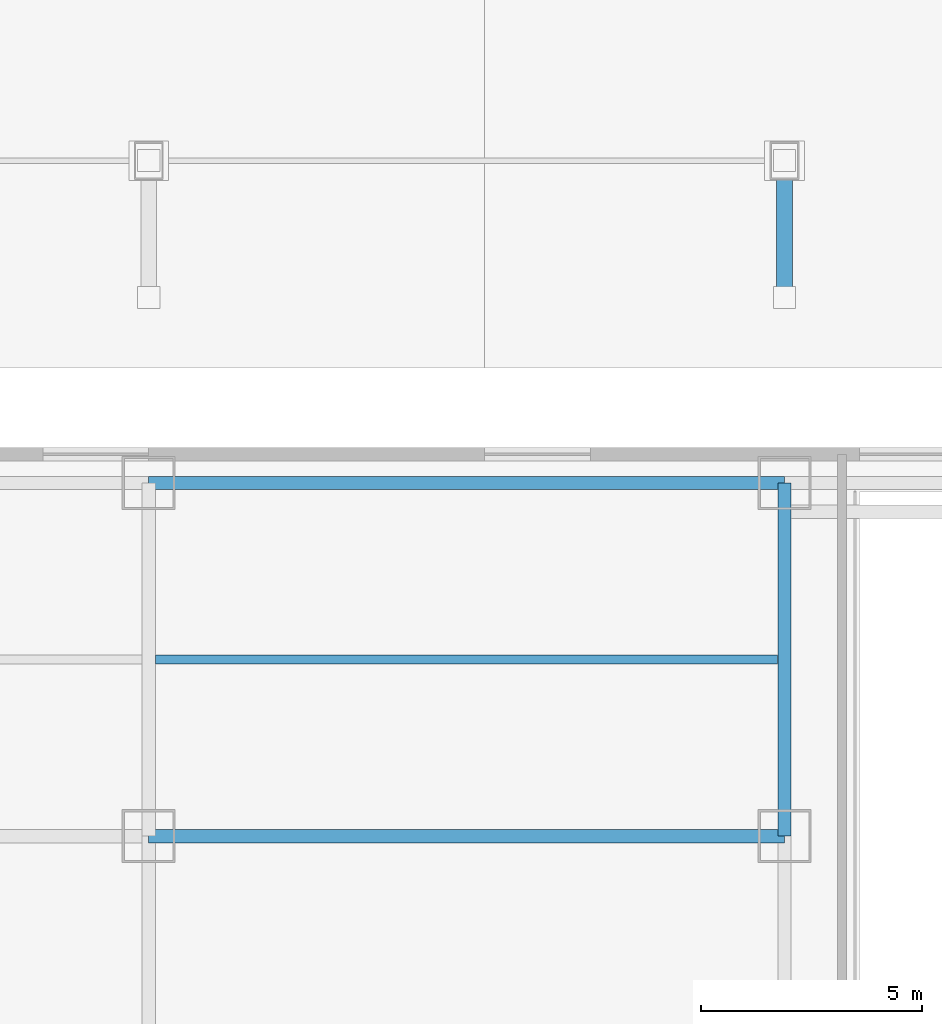
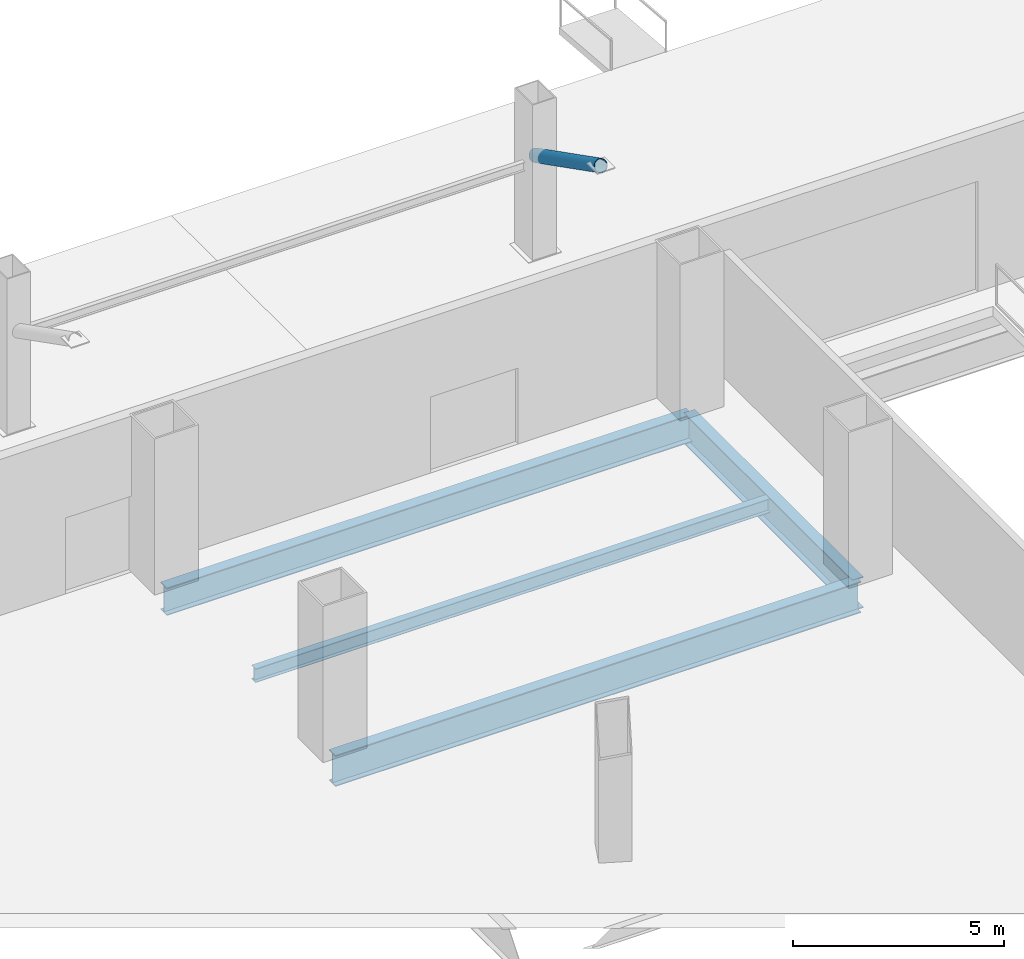
# One storey, part 43 of 58: 4 beams, 1 member.
"""IFC4 building model written with IfcOpenShell, lengths in metres."""

from ifc_helpers import new_model, si_unit, direction, frame, origin, origin_2d, place, context, subcontext, project, spatial, hollow_circle, i_section, extrude, source, transform, mapped, material, material_profile, profile_set, type_object, element, save


model = new_model("IFC4")

# Units and contexts
model_context = context("Model", 3, precision=1e-05, world=origin(), true_north=direction((0.0, 1.0)))
body_context = subcontext(model_context, "Body", "Model", "MODEL_VIEW")
ifc_project = project(units=[si_unit("LENGTHUNIT", "METRE"), si_unit("AREAUNIT", "SQUARE_METRE"), si_unit("VOLUMEUNIT", "CUBIC_METRE"), si_unit("PLANEANGLEUNIT", "RADIAN"), si_unit("MASSUNIT", "GRAM", prefix="KILO"), si_unit("THERMODYNAMICTEMPERATUREUNIT", "KELVIN"), si_unit("POWERUNIT", "WATT")], contexts=[model_context])

# Site, building, storey
site_placement = place(None, origin())
site = spatial("IfcSite", under=ifc_project, at=site_placement, CompositionType="ELEMENT")
building_placement = place(site_placement, origin())
building = spatial("IfcBuilding", under=site, at=building_placement, Name="Yunzhuo Pagoda Commons", CompositionType="ELEMENT")
storey_placement = place(building_placement, origin())
storey = spatial("IfcBuildingStorey", under=building, at=storey_placement, Name="L01", CompositionType="ELEMENT", Elevation=0.0)

# Member
ifc_material = material(Name="Structural steel Q355B", Category="steel")
ifc_material_profile_1 = material_profile(ifc_material, hollow_circle(Radius=0.177978515625, WallThickness=0.01611328125, at=origin_2d()), Name="Structural steel Q355B")
ifc_profile_set_1 = profile_set([ifc_material_profile_1], Name="Structural steel Q355B")
member_type = type_object("IfcMemberType", Name="M-CST Strut CHS 356x16", PredefinedType="STRUT", material=ifc_profile_set_1)
shared_shape_1 = source(origin(), body_context, "Body", "SweptSolid", [
    extrude(hollow_circle(Radius=0.177978515625, WallThickness=0.01611328125, at=origin_2d()), origin(), (0.0, 0.0, 1.0), 3.4794921875),
])
member_placement = place(storey_placement, frame((76.800048828125, 96.5, 2.699951171875), z_axis=(0.0, -0.890948451549, 0.454104455696), x_axis=(1.0, 0.0, 0.0)))
element("IfcMember", 1, at=member_placement, inside=storey, type_object=member_type, Name="Canopy strut N5", PredefinedType="STRUT", context=body_context, shape_type="MappedRepresentation", body=[
    mapped(shared_shape_1, transform((0.0, 0.0, 0.0), scale=1.0)),
])

# Beams
ifc_material_profile_2 = material_profile(ifc_material, i_section(OverallWidth=0.300048828125, OverallDepth=0.800048828125, WebThickness=0.013916015625, FlangeThickness=0.02587890625, at=origin_2d()), Name="Structural steel Q355B")
ifc_profile_set_2 = profile_set([ifc_material_profile_2], Name="Structural steel Q355B")
beam_type_1 = type_object("IfcBeamType", Name="B-PD2 Beam HN 800x300x14x26", PredefinedType="BEAM", material=ifc_profile_set_2)
shared_shape_2 = source(origin(), body_context, "Body", "SweptSolid", [
    extrude(i_section(OverallWidth=0.300048828125, OverallDepth=0.800048828125, WebThickness=0.013916015625, FlangeThickness=0.02587890625, at=origin_2d()), origin(), (0.0, 0.0, 1.0), 14.400146484375),
])
beam_1_placement = place(storey_placement, frame((62.39990234375, 89.199951171875, -0.679931640625), z_axis=(1.0, 0.0, 0.0), x_axis=(0.0, 1.0, 0.0)))
element("IfcBeam", 2, at=beam_1_placement, inside=storey, type_object=beam_type_1, Name="L01 podium girder EW 6.4", PredefinedType="BEAM", context=body_context, shape_type="MappedRepresentation", body=[
    mapped(shared_shape_2, transform((0.0, 0.0, 0.0), scale=1.0)),
])
ifc_material_profile_3 = material_profile(ifc_material, i_section(OverallWidth=0.300048828125, OverallDepth=0.89990234375, WebThickness=0.01611328125, FlangeThickness=0.028076171875, at=origin_2d()), Name="Structural steel Q355B")
ifc_profile_set_3 = profile_set([ifc_material_profile_3], Name="Structural steel Q355B")
beam_type_2 = type_object("IfcBeamType", Name="B-PD1 Beam HN 900x300x16x28", PredefinedType="BEAM", material=ifc_profile_set_3)
shared_shape_3 = source(origin(), body_context, "Body", "SweptSolid", [
    extrude(i_section(OverallWidth=0.300048828125, OverallDepth=0.89990234375, WebThickness=0.01611328125, FlangeThickness=0.028076171875, at=origin_2d()), origin(), (0.0, 0.0, 1.0), 14.400146484375),
])
beam_2_placement = place(storey_placement, frame((62.39990234375, 81.199951171875, -0.729736328125), z_axis=(1.0, 0.0, 0.0), x_axis=(0.0, 1.0, 0.0)))
element("IfcBeam", 3, at=beam_2_placement, inside=storey, type_object=beam_type_2, Name="L01 podium girder EW 5.4", PredefinedType="BEAM", context=body_context, shape_type="MappedRepresentation", body=[
    mapped(shared_shape_3, transform((0.0, 0.0, 0.0), scale=1.0)),
])
shared_shape_4 = source(origin(), body_context, "Body", "SweptSolid", [
    extrude(i_section(OverallWidth=0.300048828125, OverallDepth=0.89990234375, WebThickness=0.01611328125, FlangeThickness=0.028076171875, at=origin_2d()), origin(), (0.0, 0.0, 1.0), 8.0),
])
beam_3_placement = place(storey_placement, frame((76.800048828125, 81.199951171875, -0.729736328125), z_axis=(0.0, 1.0, 0.0), x_axis=(-1.0, 0.0, 0.0)))
element("IfcBeam", 4, at=beam_3_placement, inside=storey, type_object=beam_type_2, Name="L01 podium girder NS 5.5", PredefinedType="BEAM", context=body_context, shape_type="MappedRepresentation", body=[
    mapped(shared_shape_4, transform((0.0, 0.0, 0.0), scale=1.0)),
])
ifc_material_profile_4 = material_profile(ifc_material, i_section(OverallWidth=0.199951171875, OverallDepth=0.39990234375, WebThickness=0.008056640625, FlangeThickness=0.012939453125, at=origin_2d()), Name="Structural steel Q355B")
ifc_profile_set_4 = profile_set([ifc_material_profile_4], Name="Structural steel Q355B")
beam_type_3 = type_object("IfcBeamType", Name="B-JS1 Joist HN 400x200x8x13", PredefinedType="JOIST", material=ifc_profile_set_4)
shared_shape_5 = source(origin(), body_context, "Body", "SweptSolid", [
    extrude(i_section(OverallWidth=0.199951171875, OverallDepth=0.39990234375, WebThickness=0.008056640625, FlangeThickness=0.012939453125, at=origin_2d()), origin(), (0.0, 0.0, 1.0), 14.09033203125),
])
beam_4_placement = place(storey_placement, frame((62.554931640625, 85.199951171875, -0.479736328125), z_axis=(1.0, 0.0, 0.0), x_axis=(0.0, 1.0, 0.0)))
element("IfcBeam", 5, at=beam_4_placement, inside=storey, type_object=beam_type_3, Name="L01 podium composite joist 4.5", PredefinedType="JOIST", context=body_context, shape_type="MappedRepresentation", body=[
    mapped(shared_shape_5, transform((0.0, 0.0, 0.0), scale=1.0)),
])

save(model, "model.ifc")
